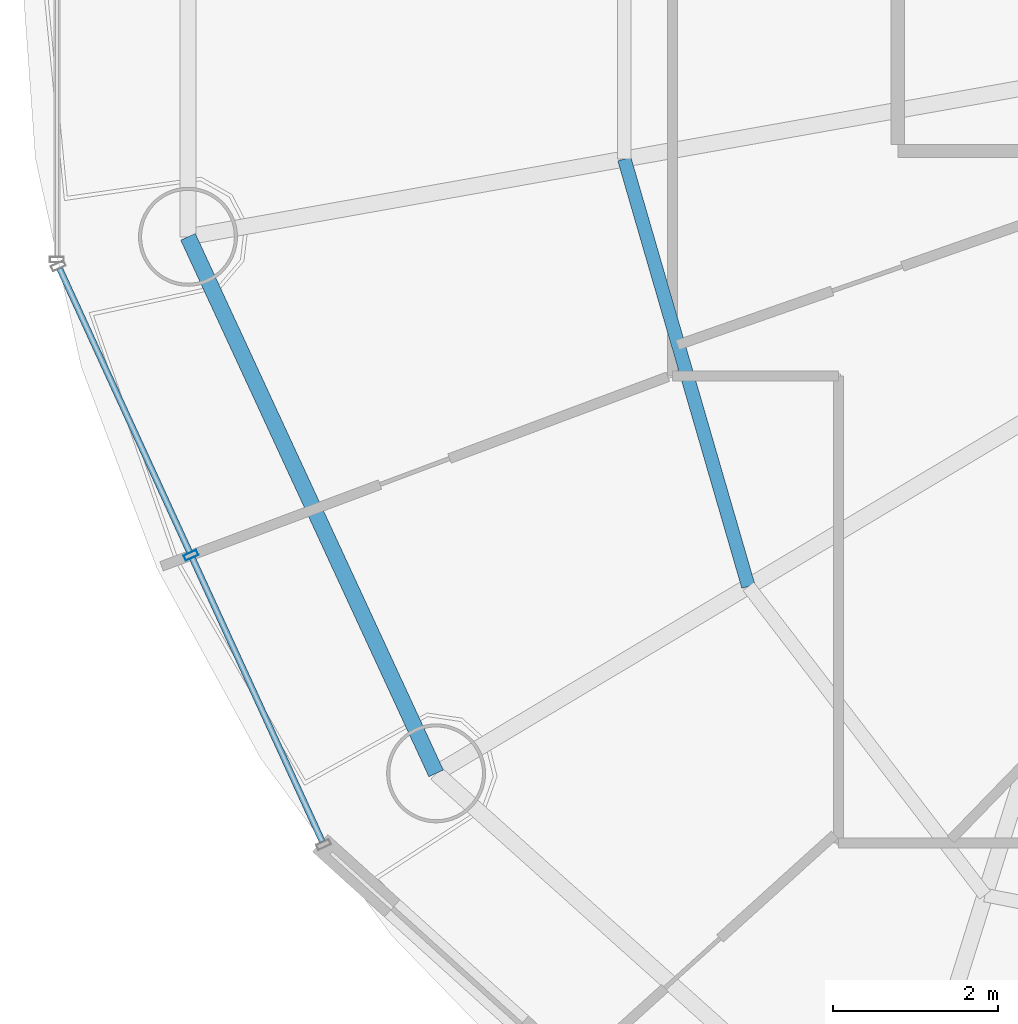
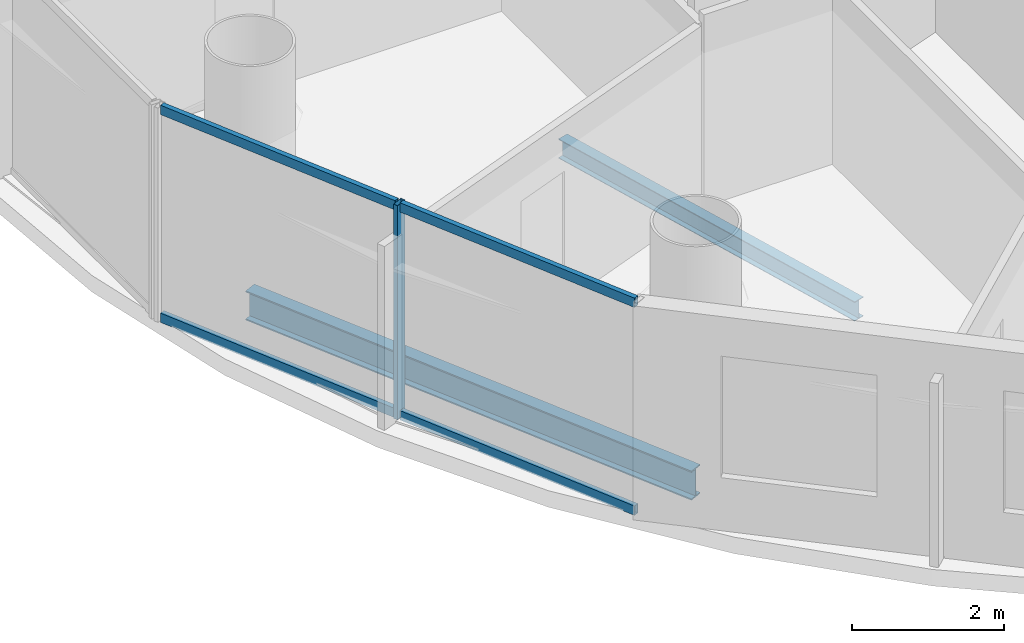
# One storey, part 3 of 26: 5 members, 2 beams, 1 element without a shape of its own.
"""IFC4 building model written with IfcOpenShell, lengths in metres."""

from ifc_helpers import new_model, si_unit, direction, frame, origin, origin_2d, place, context, subcontext, project, spatial, hollow_rectangle, i_section, extrude, source, transform, mapped, material, material_profile, profile_set, type_object, element, aggregate, save


model = new_model("IFC4")

# Units and contexts
model_context = context("Model", 3, precision=1e-05, world=origin(), true_north=direction((-0.2419218956, 0.970295726276)))
body_context = subcontext(model_context, "Body", "Model", "MODEL_VIEW")
ifc_project = project(units=[si_unit("LENGTHUNIT", "METRE"), si_unit("AREAUNIT", "SQUARE_METRE"), si_unit("VOLUMEUNIT", "CUBIC_METRE"), si_unit("PLANEANGLEUNIT", "RADIAN"), si_unit("MASSUNIT", "GRAM", prefix="KILO")], contexts=[model_context])

# Site, building, storey
site_placement = place(None, origin())
site = spatial("IfcSite", under=ifc_project, at=site_placement, CompositionType="ELEMENT")
building_placement = place(site_placement, origin())
building = spatial("IfcBuilding", under=site, at=building_placement, Name="Cobrevalo Terracotta Tower", CompositionType="ELEMENT")
storey_placement = place(building_placement, frame((0.0, 0.0, 224.5)))
storey = spatial("IfcBuildingStorey", under=building, at=storey_placement, Name="L59", CompositionType="ELEMENT", Elevation=224.5)

# Beams
ifc_material_1 = material(Name="Steel S355", Category="steel")
ifc_material_profile_1 = material_profile(ifc_material_1, i_section(OverallWidth=0.1650390625, OverallDepth=0.31005859375, WebThickness=0.005859375, FlangeThickness=0.009765625, at=origin_2d()), Name="W 310x38.7")
ifc_profile_set_1 = profile_set([ifc_material_profile_1], Name="Steel S355")
beam_type_1 = type_object("IfcBeamType", Name="Structural Joist W 310x38.7 (Steel S355)", PredefinedType="JOIST", material=ifc_profile_set_1)
beam_1_placement = place(storey_placement, frame((23.528564453125, 24.221435546875, -0.419921875), z_axis=(0.278757705995, -0.960361463902, 0.0), x_axis=(0.960361463902, 0.278757705995, 0.0)))
element("IfcBeam", 1, at=beam_1_placement, inside=storey, type_object=beam_type_1, Name="L59 circumferential secondary floor joist 09", PredefinedType="JOIST", context=body_context, shape_type="SweptSolid", body=[
    extrude(i_section(OverallWidth=0.1650390625, OverallDepth=0.31005859375, WebThickness=0.005859375, FlangeThickness=0.009765625, at=origin_2d()), origin(), (0.0, 0.0, 1.0), 5.396728515625),
])
ifc_material_profile_2 = material_profile(ifc_material_1, i_section(OverallWidth=0.194091796875, OverallDepth=0.468994140625, WebThickness=0.011474609375, FlangeThickness=0.0205078125, at=origin_2d()), Name="W 460x106")
ifc_profile_set_2 = profile_set([ifc_material_profile_2], Name="Steel S355")
beam_type_2 = type_object("IfcBeamType", Name="Structural Spandrel W 460x106 (Steel S355)", PredefinedType="SPANDREL", material=ifc_profile_set_2)
beam_2_placement = place(storey_placement, frame((18.237060546875, 23.278564453125, -0.49951171875), z_axis=(0.419718939129, -0.90765412583, 0.0), x_axis=(0.90765412583, 0.419718939129, 0.0)))
element("IfcBeam", 2, at=beam_2_placement, inside=storey, type_object=beam_type_2, Name="L59 perimeter ring spandrel 09", PredefinedType="SPANDREL", context=body_context, shape_type="SweptSolid", body=[
    extrude(i_section(OverallWidth=0.194091796875, OverallDepth=0.468994140625, WebThickness=0.011474609375, FlangeThickness=0.0205078125, at=origin_2d()), origin(), (0.0, 0.0, 1.0), 7.168701171875),
])

# Curtain wall, members
ifc_material_2 = material(Name="Anodized aluminium", Category="aluminium")
curtain_wall_type = type_object("IfcCurtainWallType", Name="Mid-tower high-wind unitised curtain wall CW-U2", PredefinedType="NOTDEFINED", material=ifc_material_2)
curtain_wall_placement = place(storey_placement, origin())
curtain_wall = element("IfcCurtainWall", 3, at=curtain_wall_placement, inside=storey, type_object=curtain_wall_type, Name="L59 curtain wall CW-L59-S09", PredefinedType="NOTDEFINED")
ifc_material_profile_3 = material_profile(ifc_material_2, hollow_rectangle(XDim=0.074951171875, YDim=0.14990234375, WallThickness=0.00439453125, at=origin_2d()), Name="CWT 75x150")
ifc_profile_set_3 = profile_set([ifc_material_profile_3], Name="Anodized aluminium")
member_type_1 = type_object("IfcMemberType", Name="Tower unitised aluminium transom 75x150", PredefinedType="USERDEFINED", material=ifc_profile_set_3)
shared_shape_1 = source(origin(), body_context, "Body", "SweptSolid", [
    extrude(hollow_rectangle(XDim=0.074951171875, YDim=0.14990234375, WallThickness=0.00439453125, at=origin_2d()), origin(), (0.0, 0.0, 1.0), 3.780029296875),
])
member_1_placement = place(storey_placement, frame((16.681640625, 22.889892578125, 0.050048828125), z_axis=(0.416705859352, -0.909041377926, 0.0), x_axis=(0.909041377926, 0.416705859352, 0.0)))
member_1 = element("IfcMember", 4, at=member_1_placement, type_object=member_type_1, Name="CW-L59-S09 transom B01-T1", ObjectType="TRANSOM", PredefinedType="USERDEFINED", context=body_context, shape_type="MappedRepresentation", body=[
    mapped(shared_shape_1, transform((0.0, 0.0, 0.0), scale=1.0)),
])
member_2_placement = place(storey_placement, frame((16.681640625, 22.889892578125, 3.385009765625), z_axis=(0.416705859352, -0.909041377926, 0.0), x_axis=(0.909041377926, 0.416705859352, 0.0)))
member_2 = element("IfcMember", 5, at=member_2_placement, type_object=member_type_1, Name="CW-L59-S09 transom B01-T2", ObjectType="TRANSOM", PredefinedType="USERDEFINED", context=body_context, shape_type="MappedRepresentation", body=[
    mapped(shared_shape_1, transform((0.0, 0.0, 0.0), scale=1.0)),
])
member_3_placement = place(storey_placement, frame((18.290283203125, 19.380859375, 0.050048828125), z_axis=(0.416705859352, -0.909041377926, 0.0), x_axis=(0.909041377926, 0.416705859352, 0.0)))
member_3 = element("IfcMember", 6, at=member_3_placement, type_object=member_type_1, Name="CW-L59-S09 transom B02-T1", ObjectType="TRANSOM", PredefinedType="USERDEFINED", context=body_context, shape_type="MappedRepresentation", body=[
    mapped(shared_shape_1, transform((0.0, 0.0, 0.0), scale=1.0)),
])
member_4_placement = place(storey_placement, frame((18.290283203125, 19.380859375, 3.385009765625), z_axis=(0.416705859352, -0.909041377926, 0.0), x_axis=(0.909041377926, 0.416705859352, 0.0)))
member_4 = element("IfcMember", 7, at=member_4_placement, type_object=member_type_1, Name="CW-L59-S09 transom B02-T2", ObjectType="TRANSOM", PredefinedType="USERDEFINED", context=body_context, shape_type="MappedRepresentation", body=[
    mapped(shared_shape_1, transform((0.0, 0.0, 0.0), scale=1.0)),
])
ifc_material_profile_4 = material_profile(ifc_material_2, hollow_rectangle(XDim=0.070068359375, YDim=0.169921875, WallThickness=0.00439453125, at=origin_2d()), Name="CWM 70x170")
ifc_profile_set_4 = profile_set([ifc_material_profile_4], Name="Anodized aluminium")
member_type_2 = type_object("IfcMemberType", Name="Upper tower unitised mullion 70x170", PredefinedType="MULLION", material=ifc_profile_set_4)
shared_shape_2 = source(origin(), body_context, "Body", "SweptSolid", [
    extrude(hollow_rectangle(XDim=0.070068359375, YDim=0.169921875, WallThickness=0.00439453125, at=origin_2d()), origin(), (0.0, 0.0, 1.0), 3.43505859375),
])
member_5_placement = place(storey_placement, frame((18.273681640625, 19.417236328125, 0.0), z_axis=(0.0, 0.0, 1.0), x_axis=(0.41672507912, -0.909032567311, 0.0)))
member_5 = element("IfcMember", 8, at=member_5_placement, type_object=member_type_2, Name="CW-L59-S09 vertical mullion 02", PredefinedType="MULLION", context=body_context, shape_type="MappedRepresentation", body=[
    mapped(shared_shape_2, transform((0.0, 0.0, 0.0), scale=1.0)),
])
aggregate(curtain_wall, [member_5, member_1, member_2, member_3, member_4])

save(model, "model.ifc")
